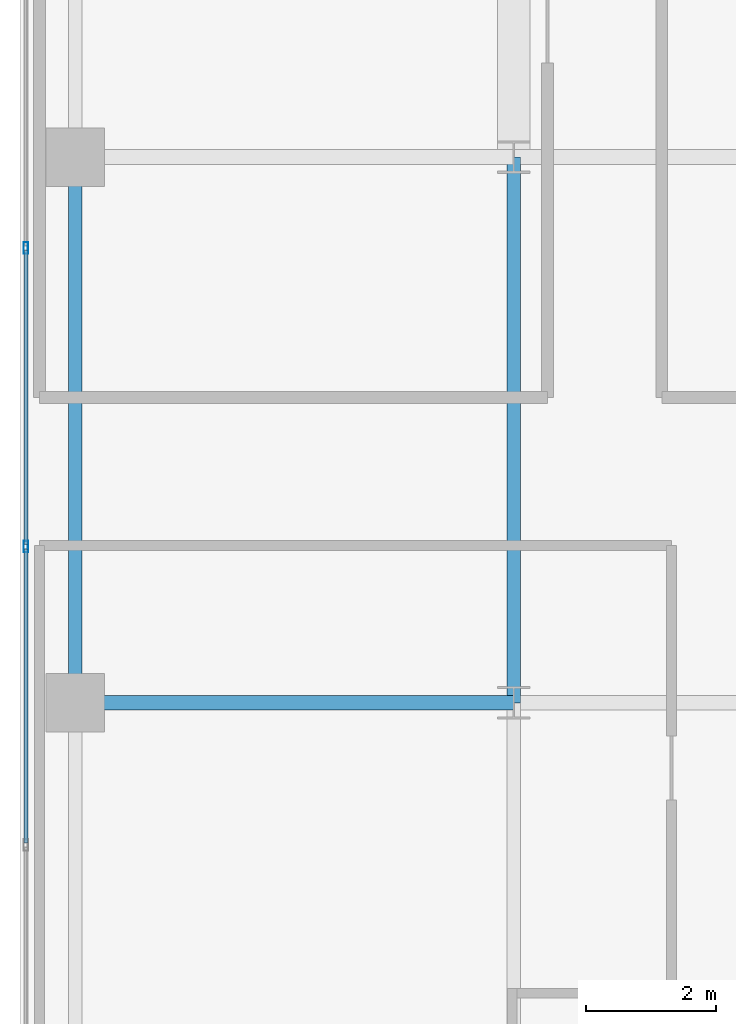
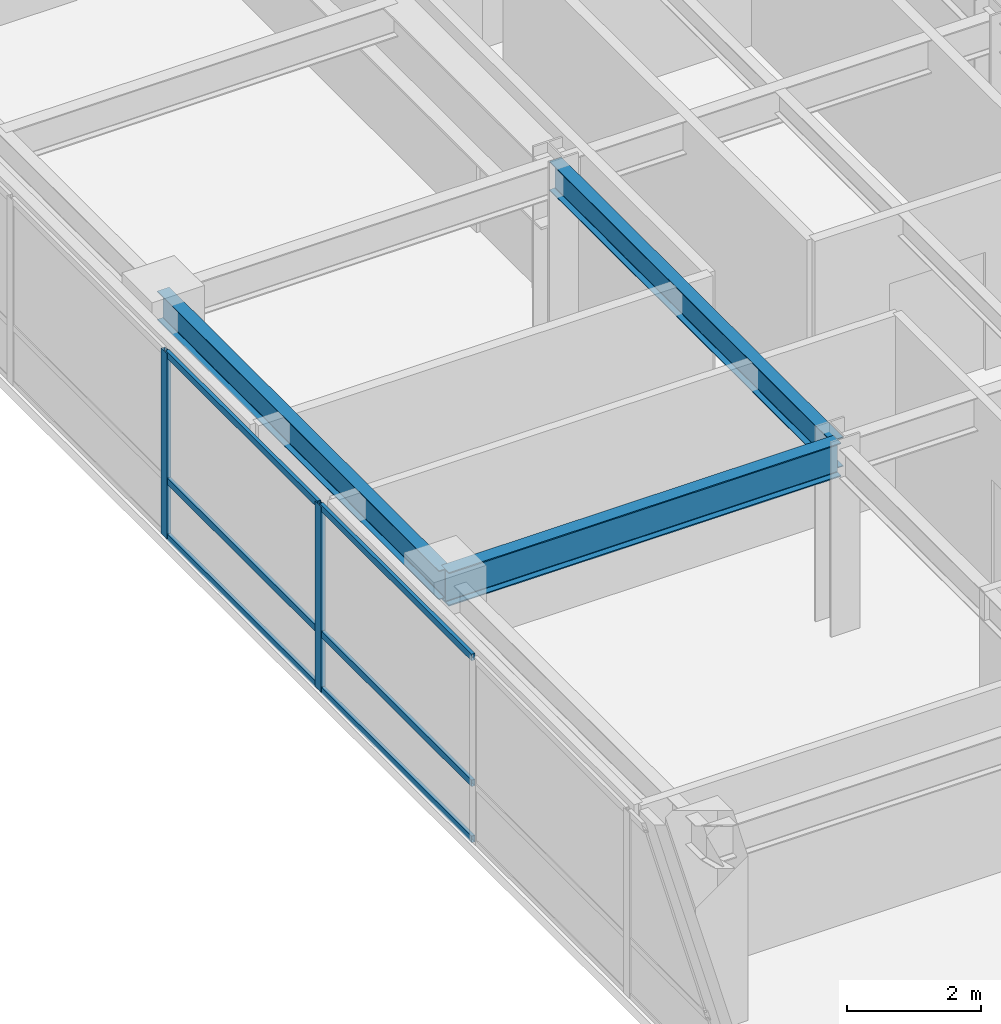
# One storey, part 8 of 37: 8 members, 3 beams, 1 element without a shape of its own.
"""IFC4 building model written with IfcOpenShell, lengths in metres."""

import ifcopenshell
import ifcopenshell.guid

model = None  # the IFC model being written
_history = None  # IfcOwnerHistory: only IFC2X3 demands one
_inside = {}  # id of a spatial element -> (the spatial element, [elements in it])
_under = {}  # id of a project, library or spatial element -> (it, [spatial elements below it])
_declared = {}  # id of a project -> (the project, [libraries it declares])
_typed = {}  # id of a type object -> (the type object, [elements of that type])
_made_of = {}  # id of a material, layer set ... -> (it, [elements and type objects made of it])


def new_model(schema):
    """Start an empty IFC model of exactly this schema.

    Asked for "IFC4X3", IfcOpenShell would pick the latest addendum, in which some entities
    have other attributes; the version numbers below select the first issue.
    IFC2X3 requires an IfcOwnerHistory on every rooted entity: one is made here for all.
    """
    global model, _history
    if schema == "IFC4X3":
        model = ifcopenshell.file(schema_version=(4, 3, 0, 0))
    else:
        model = ifcopenshell.file(schema=schema)
    _inside.clear()
    _under.clear()
    _declared.clear()
    _typed.clear()
    _made_of.clear()
    _history = None
    if model.schema == "IFC2X3":
        org = make("IfcOrganization", Name="unknown")
        user = make(
            "IfcPersonAndOrganization",
            ThePerson=make("IfcPerson", FamilyName="unknown"),
            TheOrganization=org,
        )
        app = make(
            "IfcApplication",
            ApplicationDeveloper=org,
            Version="unknown",
            ApplicationFullName="unknown",
            ApplicationIdentifier="unknown",
        )
        _history = make(
            "IfcOwnerHistory",
            OwningUser=user,
            OwningApplication=app,
            ChangeAction="ADDED",
            CreationDate=0,
        )
    return model


def make(cls, **values):
    """One entity of the class cls with the attributes given. An attribute that is None is left unset."""
    return model.create_entity(
        cls, **{name: value for name, value in values.items() if value is not None}
    )


def rooted(cls, **values):
    """An entity with a GlobalId (a new one), such as an element, a storey or a relation."""
    return make(cls, GlobalId=ifcopenshell.guid.new(), OwnerHistory=_history, **values)


def si_unit(unit_type, name, prefix=None):
    """IfcSIUnit, for example si_unit("LENGTHUNIT", "METRE", prefix="MILLI")."""
    return make("IfcSIUnit", UnitType=unit_type, Prefix=prefix, Name=name)


def assignment(units):
    """IfcUnitAssignment: the units of a project."""
    return None if units is None else make("IfcUnitAssignment", Units=units)


def point(xyz):
    """IfcCartesianPoint."""
    return None if xyz is None else make("IfcCartesianPoint", Coordinates=xyz)


def direction(xyz):
    """IfcDirection."""
    return None if xyz is None else make("IfcDirection", DirectionRatios=xyz)


def frame(location, z_axis=None, x_axis=None):
    """IfcAxis2Placement3D, a coordinate frame: its origin and axes. An axis left out is left unset."""
    return make(
        "IfcAxis2Placement3D",
        Location=point(location),
        Axis=direction(z_axis),
        RefDirection=direction(x_axis),
    )


def frame_2d(location, x_axis=None):
    """IfcAxis2Placement2D, a coordinate frame in the plane: its origin and x axis."""
    return make(
        "IfcAxis2Placement2D", Location=point(location), RefDirection=direction(x_axis)
    )


def origin():
    """The frame at (0, 0, 0) with its axes left unset."""
    return frame((0.0, 0.0, 0.0))


def origin_2d():
    """The frame at (0, 0) in the plane with its x axis left unset."""
    return frame_2d((0.0, 0.0))


def place(relative_to, where):
    """IfcLocalPlacement: puts the frame where relative to a parent placement (None: the world)."""
    return make(
        "IfcLocalPlacement", PlacementRelTo=relative_to, RelativePlacement=where
    )


def context(
    kind, dimensions, precision=None, world=None, true_north=None, identifier=None
):
    """IfcGeometricRepresentationContext, for example the 3D "Model" context."""
    return make(
        "IfcGeometricRepresentationContext",
        ContextIdentifier=identifier,
        ContextType=kind,
        CoordinateSpaceDimension=dimensions,
        Precision=precision,
        WorldCoordinateSystem=world,
        TrueNorth=true_north,
    )


def subcontext(parent, identifier, kind, view, scale=None):
    """IfcGeometricRepresentationSubContext, for example "Body" below "Model"."""
    return make(
        "IfcGeometricRepresentationSubContext",
        ContextIdentifier=identifier,
        ContextType=kind,
        ParentContext=parent,
        TargetScale=scale,
        TargetView=view,
    )


def project(units=None, contexts=None):
    """IfcProject with its units and contexts."""
    return rooted(
        "IfcProject",
        Name="project",
        RepresentationContexts=contexts,
        UnitsInContext=assignment(units),
    )


def spatial(cls, under=None, at=None, **own):
    """A site, building, storey or space (cls), placed at a placement, below another one or the project."""
    s = rooted(cls, ObjectPlacement=at, **own)
    if under is not None:
        _under.setdefault(under.id(), (under, []))[1].append(s)
    return s


def profile(cls, at=None, kind="AREA", **sizes):
    """A parametric profile (cls). Its sizes go by their IFC names, for example OverallWidth=200.0."""
    return make(cls, ProfileType=kind, Position=at, **sizes)


def hollow_rectangle(**sizes):
    """IfcRectangleHollowProfileDef."""
    return profile("IfcRectangleHollowProfileDef", **sizes)


def i_section(**sizes):
    """IfcIShapeProfileDef."""
    return profile("IfcIShapeProfileDef", **sizes)


def extrude(swept, where, along, depth):
    """IfcExtrudedAreaSolid: the profile swept, set in the frame where, extruded along a direction by depth."""
    return make(
        "IfcExtrudedAreaSolid",
        SweptArea=swept,
        Position=where,
        ExtrudedDirection=direction(along),
        Depth=depth,
    )


def shape(context_of_items, identifier, shape_type, items):
    """IfcShapeRepresentation: the items that make up one representation, for example the "Body"."""
    return make(
        "IfcShapeRepresentation",
        ContextOfItems=context_of_items,
        RepresentationIdentifier=identifier,
        RepresentationType=shape_type,
        Items=items,
    )


def source(mapping_origin, context_of_items, identifier, shape_type, items):
    """IfcRepresentationMap: a shape defined once, which mapped items show again and again."""
    return make(
        "IfcRepresentationMap",
        MappingOrigin=mapping_origin,
        MappedRepresentation=shape(context_of_items, identifier, shape_type, items),
    )


def transform(
    local_origin,
    x_axis=None,
    y_axis=None,
    z_axis=None,
    scale=None,
    scale2=None,
    scale3=None,
    uniform=True,
):
    """IfcCartesianTransformationOperator3D, or its non-uniform kind. x_axis, y_axis, z_axis: its Axis1, 2, 3."""
    if uniform:
        return make(
            "IfcCartesianTransformationOperator3D",
            Axis1=direction(x_axis),
            Axis2=direction(y_axis),
            LocalOrigin=point(local_origin),
            Scale=scale,
            Axis3=direction(z_axis),
        )
    return make(
        "IfcCartesianTransformationOperator3DnonUniform",
        Axis1=direction(x_axis),
        Axis2=direction(y_axis),
        LocalOrigin=point(local_origin),
        Scale=scale,
        Axis3=direction(z_axis),
        Scale2=scale2,
        Scale3=scale3,
    )


def mapped(mapping_source, mapping_target):
    """IfcMappedItem: shows the shape of a source again, moved by a transform."""
    return make(
        "IfcMappedItem", MappingSource=mapping_source, MappingTarget=mapping_target
    )


def material(Name=None, Category=None):
    """IfcMaterial."""
    return make("IfcMaterial", Name=Name, Category=Category)


def layer(
    of_material, thickness, ventilated=None, Name=None, Category=None, Priority=None
):
    """IfcMaterialLayer: one layer of a wall or slab, of a material (None: an air gap)."""
    return make(
        "IfcMaterialLayer",
        Material=of_material,
        LayerThickness=thickness,
        IsVentilated=ventilated,
        Name=Name,
        Category=Category,
        Priority=Priority,
    )


def layer_set(layers, Name=None):
    """IfcMaterialLayerSet."""
    return make("IfcMaterialLayerSet", MaterialLayers=layers, LayerSetName=Name)


def material_profile(
    of_material, cross_section, Name=None, Category=None, Priority=None
):
    """IfcMaterialProfile: a cross section and its material."""
    return make(
        "IfcMaterialProfile",
        Name=Name,
        Material=of_material,
        Profile=cross_section,
        Priority=Priority,
        Category=Category,
    )


def profile_set(profiles, Name=None, composite=None):
    """IfcMaterialProfileSet."""
    return make(
        "IfcMaterialProfileSet",
        Name=Name,
        MaterialProfiles=profiles,
        CompositeProfile=composite,
    )


def made_of(thing, what):
    """Note that an element or type object is made of a material, layer set ...; save() writes the relation."""
    if what is not None:
        _made_of.setdefault(what.id(), (what, []))[1].append(thing)
    return thing


def type_object(cls, material=None, **own):
    """A type object (cls), such as IfcWallType, which elements share."""
    return made_of(rooted(cls, **own), material)


def type_shapes(of_type, sources):
    """Give a type object the sources (RepresentationMaps) that its elements show as mapped items."""
    of_type.RepresentationMaps = sources


def element(
    cls,
    number,
    at=None,
    inside=None,
    cuts=None,
    type_object=None,
    material=None,
    context=None,
    identifier="Body",
    shape_type=None,
    held_by="IfcProductDefinitionShape",
    body=None,
    shapes=None,
    **own,
):
    """One element of the class cls, such as IfcWall. Its Tag is "e" and its number.

    at: its placement. inside: the storey or other place that contains it. cuts: it is an
    opening in that element (IfcRelVoidsElement). A single representation is given by context,
    identifier, shape_type and body (its items); several are given by shapes. held_by: the class
    of the entity that holds the representations. save() writes the other relations.
    """
    e = rooted(cls, Tag="e%d" % number, ObjectPlacement=at, **own)
    if body is not None:
        shapes = [shape(context, identifier, shape_type, body)]
    if shapes is not None:
        e.Representation = make(held_by, Representations=shapes)
    if inside is not None:
        _inside.setdefault(inside.id(), (inside, []))[1].append(e)
    if cuts is not None:
        rooted(
            "IfcRelVoidsElement", RelatingBuildingElement=cuts, RelatedOpeningElement=e
        )
    if type_object is not None:
        _typed.setdefault(type_object.id(), (type_object, []))[1].append(e)
    return made_of(e, material)


def aggregate(whole, parts):
    """IfcRelAggregates: a whole, such as a stair, and the parts it consists of."""
    return rooted("IfcRelAggregates", RelatingObject=whole, RelatedObjects=parts)


def save(model, path):
    """Write the relations noted so far, then the file.

    IfcRelAggregates (storeys below a building ...), IfcRelContainedInSpatialStructure (elements
    in a storey), IfcRelDefinesByType, IfcRelAssociatesMaterial and IfcRelDeclares: one each for
    every whole, place, type object, material and project.
    """
    for whole, parts in _under.values():
        aggregate(whole, parts)
    for where, things in _inside.values():
        rooted(
            "IfcRelContainedInSpatialStructure",
            RelatedElements=things,
            RelatingStructure=where,
        )
    for kind, things in _typed.values():
        rooted("IfcRelDefinesByType", RelatedObjects=things, RelatingType=kind)
    for what, things in _made_of.values():
        rooted("IfcRelAssociatesMaterial", RelatedObjects=things, RelatingMaterial=what)
    for by, libraries in _declared.values():
        rooted("IfcRelDeclares", RelatingContext=by, RelatedDefinitions=libraries)
    model.write(path)


model = new_model("IFC4")

# Units and contexts
model_context = context("Model", 3, precision=1e-05, world=origin(), true_north=direction((0.0, 1.0)))
body_context = subcontext(model_context, "Body", "Model", "MODEL_VIEW")
ifc_project = project(units=[si_unit("LENGTHUNIT", "METRE"), si_unit("AREAUNIT", "SQUARE_METRE"), si_unit("VOLUMEUNIT", "CUBIC_METRE"), si_unit("PLANEANGLEUNIT", "RADIAN"), si_unit("MASSUNIT", "GRAM", prefix="KILO")], contexts=[model_context])

# Site, building, storey
site_placement = place(None, origin())
site = spatial("IfcSite", under=ifc_project, at=site_placement, CompositionType="ELEMENT")
building_placement = place(site_placement, origin())
building = spatial("IfcBuilding", under=site, at=building_placement, Name="Tolvann Quenvar Hotel", CompositionType="ELEMENT")
storey_placement = place(building_placement, frame((0.0, 0.0, 104.449951171875)))
storey = spatial("IfcBuildingStorey", under=building, at=storey_placement, Name="L26", CompositionType="ELEMENT", Elevation=104.449951171875)

# Beams
ifc_material_1 = material(Name="Steel Grade 350", Category="steel")
ifc_material_profile_1 = material_profile(ifc_material_1, i_section(OverallWidth=0.22900390625, OverallDepth=0.612060546875, WebThickness=0.011962890625, FlangeThickness=0.01953125, FilletRadius=0.013916015625, at=origin_2d()), Name="610UB125")
ifc_profile_set_1 = profile_set([ifc_material_profile_1], Name="Steel Grade 350")
beam_type_1 = type_object("IfcBeamType", Name="BM_GIRD_610UB125", PredefinedType="BEAM", material=ifc_profile_set_1)
shared_shape_1 = source(origin(), body_context, "Body", "SweptSolid", [
    extrude(i_section(OverallWidth=0.22900390625, OverallDepth=0.612060546875, WebThickness=0.011962890625, FlangeThickness=0.01953125, FilletRadius=0.013916015625, at=origin_2d()), origin(), (0.0, 0.0, 1.0), 6.75),
])
type_shapes(beam_type_1, [shared_shape_1])
beam_1_placement = place(storey_placement, frame((0.85009765625, 16.0, 3.06396484375), z_axis=(1.0, 0.0, 0.0), x_axis=(0.0, 1.0, 0.0)))
element("IfcBeam", 1, at=beam_1_placement, inside=storey, type_object=beam_type_1, Name="BM-L26-EW-4-B4-C4", PredefinedType="BEAM", context=body_context, shape_type="MappedRepresentation", body=[
    mapped(shared_shape_1, transform((0.0, 0.0, 0.0), x_axis=(1.0, 0.0, 0.0), y_axis=(0.0, 1.0, 0.0), z_axis=(0.0, 0.0, 1.0), scale=1.0)),
])
ifc_material_profile_2 = material_profile(ifc_material_1, i_section(OverallWidth=0.208984375, OverallDepth=0.528076171875, WebThickness=0.009521484375, FlangeThickness=0.01318359375, FilletRadius=0.013916015625, at=origin_2d()), Name="530UB82")
ifc_profile_set_2 = profile_set([ifc_material_profile_2], Name="Steel Grade 350")
beam_type_2 = type_object("IfcBeamType", Name="BM_SPAND_530UB82", PredefinedType="SPANDREL", material=ifc_profile_set_2)
shared_shape_2 = source(origin(), body_context, "Body", "SweptSolid", [
    extrude(i_section(OverallWidth=0.208984375, OverallDepth=0.528076171875, WebThickness=0.009521484375, FlangeThickness=0.01318359375, FilletRadius=0.013916015625, at=origin_2d()), origin(), (0.0, 0.0, 1.0), 8.39990234375),
])
type_shapes(beam_type_2, [shared_shape_2])
beam_2_placement = place(storey_placement, frame((0.85009765625, 16.0, 3.10595703125), z_axis=(0.0, 1.0, 0.0), x_axis=(-1.0, 0.0, 0.0)))
element("IfcBeam", 2, at=beam_2_placement, inside=storey, type_object=beam_type_2, Name="BM-L26-NS-B4-B5", PredefinedType="SPANDREL", context=body_context, shape_type="MappedRepresentation", body=[
    mapped(shared_shape_2, transform((0.0, 0.0, 0.0), x_axis=(1.0, 0.0, 0.0), y_axis=(0.0, 1.0, 0.0), z_axis=(0.0, 0.0, 1.0), scale=1.0)),
])
ifc_material_profile_3 = material_profile(ifc_material_1, i_section(OverallWidth=0.208984375, OverallDepth=0.532958984375, WebThickness=0.01025390625, FlangeThickness=0.015625, FilletRadius=0.013916015625, at=origin_2d()), Name="530UB92")
ifc_profile_set_3 = profile_set([ifc_material_profile_3], Name="Steel Grade 350")
beam_type_3 = type_object("IfcBeamType", Name="BM_GIRD_530UB92", PredefinedType="BEAM", material=ifc_profile_set_3)
shared_shape_3 = source(origin(), body_context, "Body", "SweptSolid", [
    extrude(i_section(OverallWidth=0.208984375, OverallDepth=0.532958984375, WebThickness=0.01025390625, FlangeThickness=0.015625, FilletRadius=0.013916015625, at=origin_2d()), origin(), (0.0, 0.0, 1.0), 8.39990234375),
])
type_shapes(beam_type_3, [shared_shape_3])
beam_3_placement = place(storey_placement, frame((7.60009765625, 16.0, 3.103515625), z_axis=(0.0, 1.0, 0.0), x_axis=(-1.0, 0.0, 0.0)))
element("IfcBeam", 3, at=beam_3_placement, inside=storey, type_object=beam_type_3, Name="BM-L26-NS-C4-C5", PredefinedType="BEAM", context=body_context, shape_type="MappedRepresentation", body=[
    mapped(shared_shape_3, transform((0.0, 0.0, 0.0), x_axis=(1.0, 0.0, 0.0), y_axis=(0.0, 1.0, 0.0), z_axis=(0.0, 0.0, 1.0), scale=1.0)),
])

# Curtain wall, members
ifc_material_2 = material(Name="Thermally broken anodised architectural aluminium 6063-T6 and laminated low-E glass", Category="aluminium")
ifc_layer = layer(ifc_material_2, 0.179931640625)
ifc_layer_set = layer_set([ifc_layer], Name="Thermally broken anodised architectural aluminium 6063-T6 and laminated low-E glass")
curtain_wall_type = type_object("IfcCurtainWallType", Name="CW_SYS_BAND_04", PredefinedType="USERDEFINED", material=ifc_layer_set)
curtain_wall_placement = place(storey_placement, origin())
curtain_wall = element("IfcCurtainWall", 4, at=curtain_wall_placement, inside=storey, type_object=curtain_wall_type, Name="Curtain Wall CW-BAND-04 (CWR-L26-E23)", ObjectType="UNITISED CURTAIN WALL", PredefinedType="USERDEFINED")
ifc_material_3 = material(Name="Anodised architectural aluminium 6063-T6 framing", Category="aluminium")
ifc_material_profile_4 = material_profile(ifc_material_3, hollow_rectangle(XDim=0.070068359375, YDim=0.179931640625, WallThickness=0.00390625, at=origin_2d()), Name="180x70x4RHS")
ifc_profile_set_4 = profile_set([ifc_material_profile_4], Name="Anodised architectural aluminium 6063-T6 framing")
member_type_1 = type_object("IfcMemberType", Name="CW_MULL_180x70", PredefinedType="MULLION", material=ifc_profile_set_4)
shared_shape_4 = source(origin(), body_context, "Body", "SweptSolid", [
    extrude(hollow_rectangle(XDim=0.070068359375, YDim=0.179931640625, WallThickness=0.00390625, at=origin_2d()), origin(), (0.0, 0.0, 1.0), 3.3701171875),
])
type_shapes(member_type_1, [shared_shape_4])
member_1_placement = place(storey_placement, frame((0.090087890625, 23.0, 0.0), z_axis=(0.0, 0.0, 1.0), x_axis=(1.0, 0.0, 0.0)))
member_1 = element("IfcMember", 5, at=member_1_placement, type_object=member_type_1, Name="CW-BAND-04 mullion 5", PredefinedType="MULLION", context=body_context, shape_type="MappedRepresentation", body=[
    mapped(shared_shape_4, transform((0.0, 0.0, 0.0), x_axis=(1.0, 0.0, 0.0), y_axis=(0.0, 1.0, 0.0), z_axis=(0.0, 0.0, 1.0), scale=1.0)),
])
member_2_placement = place(storey_placement, frame((0.090087890625, 18.404296875, 0.0), z_axis=(0.0, 0.0, 1.0), x_axis=(1.0, 0.0, 0.0)))
member_2 = element("IfcMember", 6, at=member_2_placement, type_object=member_type_1, Name="CW-BAND-04 mullion 6", PredefinedType="MULLION", context=body_context, shape_type="MappedRepresentation", body=[
    mapped(shared_shape_4, transform((0.0, 0.0, 0.0), x_axis=(1.0, 0.0, 0.0), y_axis=(0.0, 1.0, 0.0), z_axis=(0.0, 0.0, 1.0), scale=1.0)),
])
ifc_material_profile_5 = material_profile(ifc_material_3, hollow_rectangle(XDim=0.06005859375, YDim=0.1201171875, WallThickness=0.00341796875, at=origin_2d()), Name="120x60x3.5RHS")
ifc_profile_set_5 = profile_set([ifc_material_profile_5], Name="Anodised architectural aluminium 6063-T6 framing")
member_type_2 = type_object("IfcMemberType", Name="CW_TRAN_120x60", PredefinedType="USERDEFINED", material=ifc_profile_set_5)
shared_shape_5 = source(origin(), body_context, "Body", "SweptSolid", [
    extrude(hollow_rectangle(XDim=0.06005859375, YDim=0.1201171875, WallThickness=0.00341796875, at=origin_2d()), origin(), (0.0, 0.0, 1.0), 4.52587890625),
])
type_shapes(member_type_2, [shared_shape_5])
member_3_placement = place(storey_placement, frame((0.090087890625, 22.965087890625, 0.030029296875), z_axis=(0.0, -1.0, 0.0), x_axis=(1.0, 0.0, 0.0)))
member_3 = element("IfcMember", 7, at=member_3_placement, type_object=member_type_2, Name="CW-BAND-04 transom 5.1", ObjectType="TRANSOM", PredefinedType="USERDEFINED", context=body_context, shape_type="MappedRepresentation", body=[
    mapped(shared_shape_5, transform((0.0, 0.0, 0.0), x_axis=(1.0, 0.0, 0.0), y_axis=(0.0, 1.0, 0.0), z_axis=(0.0, 0.0, 1.0), scale=1.0)),
])
member_4_placement = place(storey_placement, frame((0.090087890625, 22.965087890625, 1.050048828125), z_axis=(0.0, -1.0, 0.0), x_axis=(1.0, 0.0, 0.0)))
member_4 = element("IfcMember", 8, at=member_4_placement, type_object=member_type_2, Name="CW-BAND-04 transom 5.2", ObjectType="TRANSOM", PredefinedType="USERDEFINED", context=body_context, shape_type="MappedRepresentation", body=[
    mapped(shared_shape_5, transform((0.0, 0.0, 0.0), x_axis=(1.0, 0.0, 0.0), y_axis=(0.0, 1.0, 0.0), z_axis=(0.0, 0.0, 1.0), scale=1.0)),
])
member_5_placement = place(storey_placement, frame((0.090087890625, 22.965087890625, 3.340087890625), z_axis=(0.0, -1.0, 0.0), x_axis=(1.0, 0.0, 0.0)))
member_5 = element("IfcMember", 9, at=member_5_placement, type_object=member_type_2, Name="CW-BAND-04 transom 5.3", ObjectType="TRANSOM", PredefinedType="USERDEFINED", context=body_context, shape_type="MappedRepresentation", body=[
    mapped(shared_shape_5, transform((0.0, 0.0, 0.0), x_axis=(1.0, 0.0, 0.0), y_axis=(0.0, 1.0, 0.0), z_axis=(0.0, 0.0, 1.0), scale=1.0)),
])
member_6_placement = place(storey_placement, frame((0.090087890625, 18.369384765625, 0.030029296875), z_axis=(0.0, -1.0, 0.0), x_axis=(1.0, 0.0, 0.0)))
member_6 = element("IfcMember", 10, at=member_6_placement, type_object=member_type_2, Name="CW-BAND-04 transom 6.1", ObjectType="TRANSOM", PredefinedType="USERDEFINED", context=body_context, shape_type="MappedRepresentation", body=[
    mapped(shared_shape_5, transform((0.0, 0.0, 0.0), x_axis=(1.0, 0.0, 0.0), y_axis=(0.0, 1.0, 0.0), z_axis=(0.0, 0.0, 1.0), scale=1.0)),
])
member_7_placement = place(storey_placement, frame((0.090087890625, 18.369384765625, 1.050048828125), z_axis=(0.0, -1.0, 0.0), x_axis=(1.0, 0.0, 0.0)))
member_7 = element("IfcMember", 11, at=member_7_placement, type_object=member_type_2, Name="CW-BAND-04 transom 6.2", ObjectType="TRANSOM", PredefinedType="USERDEFINED", context=body_context, shape_type="MappedRepresentation", body=[
    mapped(shared_shape_5, transform((0.0, 0.0, 0.0), x_axis=(1.0, 0.0, 0.0), y_axis=(0.0, 1.0, 0.0), z_axis=(0.0, 0.0, 1.0), scale=1.0)),
])
member_8_placement = place(storey_placement, frame((0.090087890625, 18.369384765625, 3.340087890625), z_axis=(0.0, -1.0, 0.0), x_axis=(1.0, 0.0, 0.0)))
member_8 = element("IfcMember", 12, at=member_8_placement, type_object=member_type_2, Name="CW-BAND-04 transom 6.3", ObjectType="TRANSOM", PredefinedType="USERDEFINED", context=body_context, shape_type="MappedRepresentation", body=[
    mapped(shared_shape_5, transform((0.0, 0.0, 0.0), x_axis=(1.0, 0.0, 0.0), y_axis=(0.0, 1.0, 0.0), z_axis=(0.0, 0.0, 1.0), scale=1.0)),
])
aggregate(curtain_wall, [member_1, member_2, member_3, member_4, member_5, member_6, member_7, member_8])

save(model, "model.ifc")
